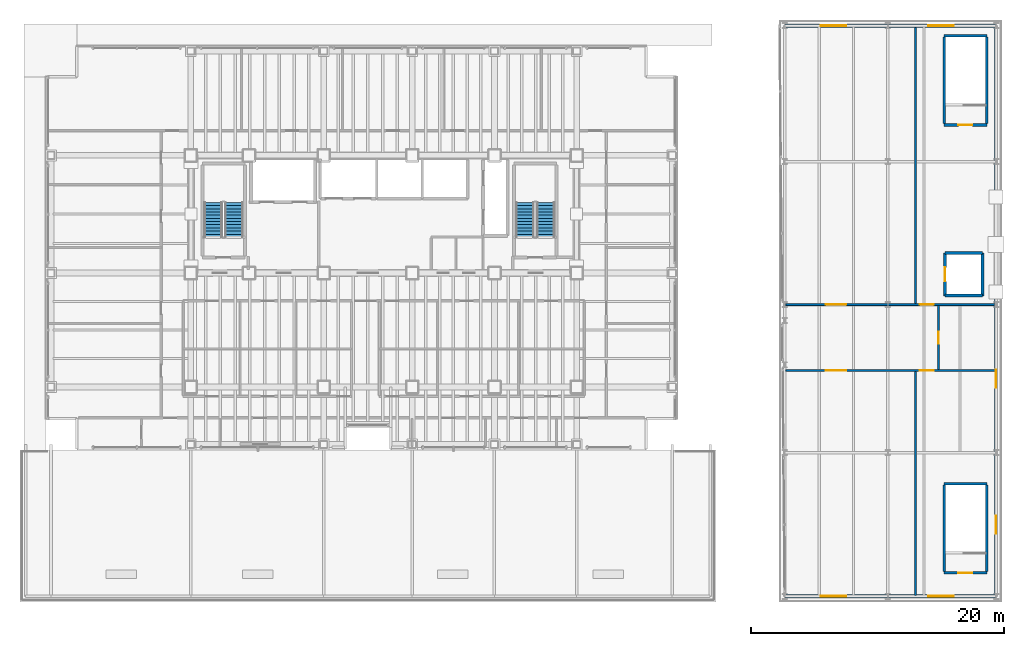
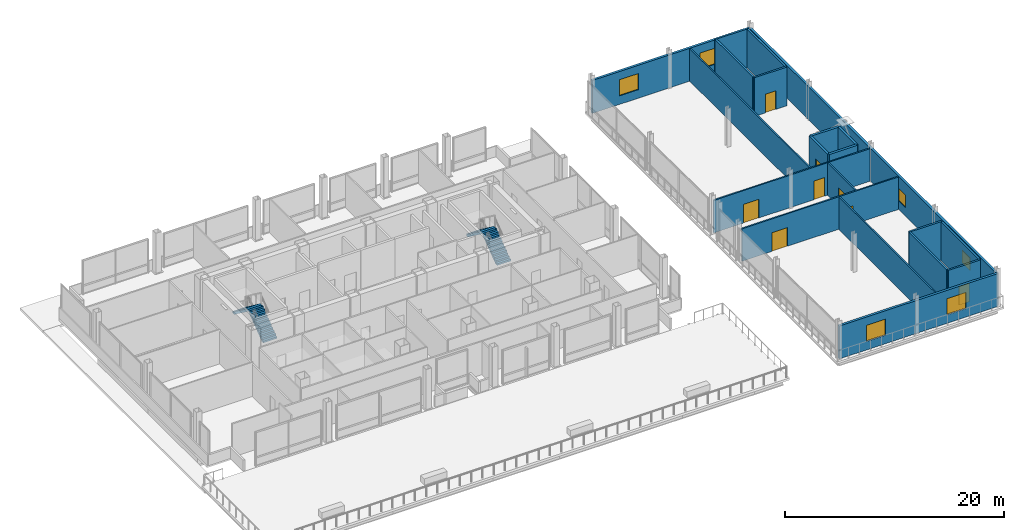
# One storey, part 29 of 34: 20 walls, 8 doors, 6 windows, 4 stair flights, 14 openings, 2 elements without a shape of their own.
"""IFC4 building model written with IfcOpenShell, lengths in metres."""

from ifc_helpers import new_model, si_unit, direction, frame, frame_2d, origin, place, context, subcontext, project, spatial, polyline, rectangle, outline, extrude, material, layer, layer_set, type_object, element, fill, aggregate, save


model = new_model("IFC4")

# Units and contexts
model_context = context("Model", 3, precision=1e-05, world=origin(), true_north=direction((0.0, 1.0)))
body_context = subcontext(model_context, "Body", "Model", "MODEL_VIEW")
ifc_project = project(units=[si_unit("LENGTHUNIT", "METRE"), si_unit("AREAUNIT", "SQUARE_METRE"), si_unit("VOLUMEUNIT", "CUBIC_METRE"), si_unit("PLANEANGLEUNIT", "RADIAN"), si_unit("MASSUNIT", "GRAM", prefix="KILO")], contexts=[model_context])

# Site, building, storey
site_placement = place(None, origin())
site = spatial("IfcSite", under=ifc_project, at=site_placement, CompositionType="ELEMENT")
building_placement = place(site_placement, origin())
building = spatial("IfcBuilding", under=site, at=building_placement, Name="Noeulbin Bourse Tower", CompositionType="ELEMENT")
storey_placement = place(building_placement, frame((0.0, 0.0, 22.0)))
storey = spatial("IfcBuildingStorey", under=building, at=storey_placement, Name="L05", CompositionType="ELEMENT", Elevation=22.0)

# Wall, openings, windows
ifc_material_1 = material(Name="Precast Concrete C40/50", Category="concrete")
ifc_layer_1 = layer(ifc_material_1, 0.25)
ifc_layer_set_1 = layer_set([ifc_layer_1], Name="Precast Concrete C40/50")
wall_type_1 = type_object("IfcWallType", Name="WAL-EXT-250", PredefinedType="STANDARD", material=ifc_layer_set_1)
wall_1_placement = place(storey_placement, frame((60.449951171875, 3.449951171875, 0.0), z_axis=(0.0, 0.0, 1.0), x_axis=(1.0, 0.0, 0.0)))
wall_1 = element("IfcWall", 1, at=wall_1_placement, inside=storey, type_object=wall_type_1, Name="Market Hall South Wall L05", PredefinedType="STANDARD", context=body_context, shape_type="SweptSolid", body=[
    extrude(rectangle(XDim=16.699951171875, YDim=0.25, at=frame_2d((8.35009765625, 0.0))), origin(), (0.0, 0.0, 1.0), 3.669921875),
])
opening_1_placement = place(wall_1_placement, frame((2.85009765625, 0.0, 0.949951171875)))
opening_1 = element("IfcOpeningElement", 2, at=opening_1_placement, cuts=wall_1, Name="Opening W-02", PredefinedType="OPENING", context=body_context, shape_type="SweptSolid", body=[
    extrude(rectangle(XDim=2.0, YDim=1.800048828125, at=frame_2d((1.0, 0.89990234375))), frame((0.0, 0.135009765625, 0.0), z_axis=(0.0, -1.0, 0.0), x_axis=(1.0, 0.0, 0.0)), (0.0, 0.0, 1.0), 0.27001953125),
])
opening_2_placement = place(wall_1_placement, frame((11.35009765625, 0.0, 0.949951171875)))
opening_2 = element("IfcOpeningElement", 3, at=opening_2_placement, cuts=wall_1, Name="Opening W-02", PredefinedType="OPENING", context=body_context, shape_type="SweptSolid", body=[
    extrude(rectangle(XDim=2.0, YDim=1.800048828125, at=frame_2d((1.0, 0.89990234375))), frame((0.0, 0.135009765625, 0.0), z_axis=(0.0, -1.0, 0.0), x_axis=(1.0, 0.0, 0.0)), (0.0, 0.0, 1.0), 0.27001953125),
])
ifc_material_2 = material(Name="Thermally Broken Aluminium Triple Glazing", Category="aluminium")
window_type_1 = type_object("IfcWindowType", Name="WIN-MKT-2000x1800", PartitioningType="DOUBLE_PANEL_VERTICAL", PredefinedType="WINDOW", material=ifc_material_2)
window_1_placement = place(opening_1_placement, origin())
window_1 = element("IfcWindow", 4, at=window_1_placement, inside=storey, type_object=window_type_1, Name="Market South Window L05-1", OverallHeight=1.800048828125, OverallWidth=2.0, PartitioningType="SINGLE_PANEL", PredefinedType="WINDOW", context=body_context, shape_type="SweptSolid", body=[
    extrude(rectangle(XDim=2.0, YDim=1.800048828125, at=frame_2d((1.0, 0.89990234375))), frame((0.0, 0.030029296875, 0.0), z_axis=(0.0, -1.0, 0.0), x_axis=(1.0, 0.0, 0.0)), (0.0, 0.0, 1.0), 0.06005859375),
])
fill(opening_1, window_1)
window_2_placement = place(opening_2_placement, origin())
window_2 = element("IfcWindow", 5, at=window_2_placement, inside=storey, type_object=window_type_1, Name="Market South Window L05-2", OverallHeight=1.800048828125, OverallWidth=2.0, PartitioningType="SINGLE_PANEL", PredefinedType="WINDOW", context=body_context, shape_type="SweptSolid", body=[
    extrude(rectangle(XDim=2.0, YDim=1.800048828125, at=frame_2d((1.0, 0.89990234375))), frame((0.0, 0.030029296875, 0.0), z_axis=(0.0, -1.0, 0.0), x_axis=(1.0, 0.0, 0.0)), (0.0, 0.0, 1.0), 0.06005859375),
])
fill(opening_2, window_2)

wall_2_placement = place(storey_placement, frame((60.449951171875, 48.550048828125, 0.0), z_axis=(0.0, 0.0, 1.0), x_axis=(1.0, 0.0, 0.0)))
wall_2 = element("IfcWall", 6, at=wall_2_placement, inside=storey, type_object=wall_type_1, Name="Market Hall North Wall L05", PredefinedType="STANDARD", context=body_context, shape_type="SweptSolid", body=[
    extrude(rectangle(XDim=16.699951171875, YDim=0.25, at=frame_2d((8.35009765625, 0.0))), origin(), (0.0, 0.0, 1.0), 3.669921875),
])
opening_3_placement = place(wall_2_placement, frame((2.85009765625, 0.0, 0.949951171875)))
opening_3 = element("IfcOpeningElement", 7, at=opening_3_placement, cuts=wall_2, Name="Opening W-02", PredefinedType="OPENING", context=body_context, shape_type="SweptSolid", body=[
    extrude(rectangle(XDim=2.0, YDim=1.800048828125, at=frame_2d((1.0, 0.89990234375))), frame((0.0, 0.135009765625, 0.0), z_axis=(0.0, -1.0, 0.0), x_axis=(1.0, 0.0, 0.0)), (0.0, 0.0, 1.0), 0.27001953125),
])
opening_4_placement = place(wall_2_placement, frame((11.35009765625, 0.0, 0.949951171875)))
opening_4 = element("IfcOpeningElement", 8, at=opening_4_placement, cuts=wall_2, Name="Opening W-02", PredefinedType="OPENING", context=body_context, shape_type="SweptSolid", body=[
    extrude(rectangle(XDim=2.0, YDim=1.800048828125, at=frame_2d((1.0, 0.89990234375))), frame((0.0, 0.135009765625, 0.0), z_axis=(0.0, -1.0, 0.0), x_axis=(1.0, 0.0, 0.0)), (0.0, 0.0, 1.0), 0.27001953125),
])
window_3_placement = place(opening_3_placement, origin())
window_3 = element("IfcWindow", 9, at=window_3_placement, inside=storey, type_object=window_type_1, Name="Market North Window L05-1", OverallHeight=1.800048828125, OverallWidth=2.0, PartitioningType="SINGLE_PANEL", PredefinedType="WINDOW", context=body_context, shape_type="SweptSolid", body=[
    extrude(rectangle(XDim=2.0, YDim=1.800048828125, at=frame_2d((1.0, 0.89990234375))), frame((0.0, 0.030029296875, 0.0), z_axis=(0.0, -1.0, 0.0), x_axis=(1.0, 0.0, 0.0)), (0.0, 0.0, 1.0), 0.06005859375),
])
fill(opening_3, window_3)
window_4_placement = place(opening_4_placement, origin())
window_4 = element("IfcWindow", 10, at=window_4_placement, inside=storey, type_object=window_type_1, Name="Market North Window L05-2", OverallHeight=1.800048828125, OverallWidth=2.0, PartitioningType="SINGLE_PANEL", PredefinedType="WINDOW", context=body_context, shape_type="SweptSolid", body=[
    extrude(rectangle(XDim=2.0, YDim=1.800048828125, at=frame_2d((1.0, 0.89990234375))), frame((0.0, 0.030029296875, 0.0), z_axis=(0.0, -1.0, 0.0), x_axis=(1.0, 0.0, 0.0)), (0.0, 0.0, 1.0), 0.06005859375),
])
fill(opening_4, window_4)

wall_3_placement = place(storey_placement, frame((77.14990234375, 3.449951171875, 0.0), z_axis=(0.0, 0.0, 1.0), x_axis=(0.0, 1.0, 0.0)))
wall_3 = element("IfcWall", 11, at=wall_3_placement, inside=storey, type_object=wall_type_1, Name="Market Hall East Wall L05", PredefinedType="STANDARD", context=body_context, shape_type="SweptSolid", body=[
    extrude(rectangle(XDim=45.10009765625, YDim=0.25, at=frame_2d((22.550048828125, 0.0))), origin(), (0.0, 0.0, 1.0), 3.669921875),
])
opening_5_placement = place(wall_3_placement, frame((4.949951171875, 0.0, 0.949951171875)))
opening_5 = element("IfcOpeningElement", 12, at=opening_5_placement, cuts=wall_3, Name="Opening W-06", PredefinedType="OPENING", context=body_context, shape_type="SweptSolid", body=[
    extrude(rectangle(XDim=1.39990234375, YDim=1.39990234375, at=frame_2d((0.699951171875, 0.699951171875))), frame((0.0, 0.135009765625, 0.0), z_axis=(0.0, -1.0, 0.0), x_axis=(1.0, 0.0, 0.0)), (0.0, 0.0, 1.0), 0.27001953125),
])
opening_6_placement = place(wall_3_placement, frame((16.5, 0.0, 0.949951171875)))
opening_6 = element("IfcOpeningElement", 13, at=opening_6_placement, cuts=wall_3, Name="Opening W-06", PredefinedType="OPENING", context=body_context, shape_type="SweptSolid", body=[
    extrude(rectangle(XDim=1.39990234375, YDim=1.39990234375, at=frame_2d((0.699951171875, 0.699951171875))), frame((0.0, 0.135009765625, 0.0), z_axis=(0.0, -1.0, 0.0), x_axis=(1.0, 0.0, 0.0)), (0.0, 0.0, 1.0), 0.27001953125),
])
window_type_2 = type_object("IfcWindowType", Name="WIN-MKT-1400x1400", PartitioningType="SINGLE_PANEL", PredefinedType="WINDOW", material=ifc_material_2)
window_5_placement = place(opening_5_placement, origin())
window_5 = element("IfcWindow", 14, at=window_5_placement, inside=storey, type_object=window_type_2, Name="Market East Window L05-1", OverallHeight=1.39990234375, OverallWidth=1.39990234375, PartitioningType="SINGLE_PANEL", PredefinedType="WINDOW", context=body_context, shape_type="SweptSolid", body=[
    extrude(rectangle(XDim=1.39990234375, YDim=1.39990234375, at=frame_2d((0.699951171875, 0.699951171875))), frame((0.0, 0.030029296875, 0.0), z_axis=(0.0, -1.0, 0.0), x_axis=(1.0, 0.0, 0.0)), (0.0, 0.0, 1.0), 0.06005859375),
])
fill(opening_5, window_5)
window_6_placement = place(opening_6_placement, origin())
window_6 = element("IfcWindow", 15, at=window_6_placement, inside=storey, type_object=window_type_2, Name="Market East Window L05-2", OverallHeight=1.39990234375, OverallWidth=1.39990234375, PartitioningType="SINGLE_PANEL", PredefinedType="WINDOW", context=body_context, shape_type="SweptSolid", body=[
    extrude(rectangle(XDim=1.39990234375, YDim=1.39990234375, at=frame_2d((0.699951171875, 0.699951171875))), frame((0.0, 0.030029296875, 0.0), z_axis=(0.0, -1.0, 0.0), x_axis=(1.0, 0.0, 0.0)), (0.0, 0.0, 1.0), 0.06005859375),
])
fill(opening_6, window_6)

# Wall, opening, door
ifc_material_3 = material(Name="Concrete C40/50", Category="concrete")
ifc_layer_2 = layer(ifc_material_3, 0.199951171875)
ifc_layer_set_2 = layer_set([ifc_layer_2], Name="Concrete C40/50")
wall_type_2 = type_object("IfcWallType", Name="WAL-FIRE-200", PredefinedType="STANDARD", material=ifc_layer_set_2)
wall_4_placement = place(storey_placement, frame((73.02001953125, 5.300048828125, 0.0), z_axis=(0.0, 0.0, 1.0), x_axis=(1.0, 0.0, 0.0)))
wall_4 = element("IfcWall", 16, at=wall_4_placement, inside=storey, type_object=wall_type_2, Name="Stair MST1 South Wall L05", PredefinedType="STANDARD", context=body_context, shape_type="SweptSolid", body=[
    extrude(rectangle(XDim=3.39990234375, YDim=0.199951171875, at=frame_2d((1.699951171875, 0.0))), origin(), (0.0, 0.0, 1.0), 4.320068359375),
])
opening_7_placement = place(wall_4_placement, frame((1.14990234375, 0.0, 0.0)))
opening_7 = element("IfcOpeningElement", 17, at=opening_7_placement, cuts=wall_4, Name="Opening FD-11", PredefinedType="OPENING", context=body_context, shape_type="SweptSolid", body=[
    extrude(rectangle(XDim=1.10009765625, YDim=2.080078125, at=frame_2d((0.550048828125, 1.0400390625))), frame((0.0, 0.10986328125, 0.0), z_axis=(0.0, -1.0, 0.0), x_axis=(1.0, 0.0, 0.0)), (0.0, 0.0, 1.0), 0.219970703125),
])
ifc_material_4 = material(Name="Fire-Rated Insulated Steel", Category="steel")
door_type_1 = type_object("IfcDoorType", Name="DR-FD60-1100", OperationType="SINGLE_SWING_LEFT", PredefinedType="DOOR", material=ifc_material_4)
door_1_placement = place(opening_7_placement, origin())
door_1 = element("IfcDoor", 18, at=door_1_placement, inside=storey, type_object=door_type_1, Name="Escape Stair Door MST1-L05", OperationType="SINGLE_SWING_RIGHT", OverallHeight=2.080078125, OverallWidth=1.10009765625, PredefinedType="DOOR", context=body_context, shape_type="SweptSolid", body=[
    extrude(rectangle(XDim=1.10009765625, YDim=2.080078125, at=frame_2d((0.550048828125, 1.0400390625))), frame((0.0, 0.02490234375, 0.0), z_axis=(0.0, -1.0, 0.0), x_axis=(1.0, 0.0, 0.0)), (0.0, 0.0, 1.0), 0.050048828125),
])
fill(opening_7, door_1)

# Walls
wall_5_placement = place(storey_placement, frame((73.02001953125, 12.360107421875, 0.0), z_axis=(0.0, 0.0, 1.0), x_axis=(1.0, 0.0, 0.0)))
element("IfcWall", 19, at=wall_5_placement, inside=storey, type_object=wall_type_2, Name="Stair MST1 North Wall L05", PredefinedType="STANDARD", context=body_context, shape_type="SweptSolid", body=[
    extrude(rectangle(XDim=3.39990234375, YDim=0.199951171875, at=frame_2d((1.699951171875, 0.0))), origin(), (0.0, 0.0, 1.0), 4.320068359375),
])
for number, where, z_axis, x_axis, name in (
    (20, (73.0400390625, 5.39990234375, 0.0), (0.0, 0.0, 1.0), (0.0, 1.0, 0.0), "Stair MST1 West Wall L05"),
    (21, (76.39990234375, 5.39990234375, 0.0), (0.0, 0.0, 1.0), (0.0, 1.0, 0.0), "Stair MST1 East Wall L05"),
):
    element("IfcWall", number, at=place(storey_placement, frame(where, z_axis=z_axis, x_axis=x_axis)), inside=storey, type_object=wall_type_2, Name=name, PredefinedType="STANDARD", context=body_context, shape_type="SweptSolid", body=[
        extrude(rectangle(XDim=6.860107421875, YDim=0.199951171875, at=frame_2d((3.43017578125, 0.0))), origin(), (0.0, 0.0, 1.0), 4.320068359375),
    ])

# Wall, opening, door
wall_6_placement = place(storey_placement, frame((73.02001953125, 40.699951171875, 0.0), z_axis=(0.0, 0.0, 1.0), x_axis=(1.0, 0.0, 0.0)))
wall_6 = element("IfcWall", 22, at=wall_6_placement, inside=storey, type_object=wall_type_2, Name="Stair MST2 South Wall L05", PredefinedType="STANDARD", context=body_context, shape_type="SweptSolid", body=[
    extrude(rectangle(XDim=3.39990234375, YDim=0.199951171875, at=frame_2d((1.699951171875, 0.0))), origin(), (0.0, 0.0, 1.0), 4.320068359375),
])
opening_8_placement = place(wall_6_placement, frame((1.14990234375, 0.0, 0.0)))
opening_8 = element("IfcOpeningElement", 23, at=opening_8_placement, cuts=wall_6, Name="Opening FD-11", PredefinedType="OPENING", context=body_context, shape_type="SweptSolid", body=[
    extrude(rectangle(XDim=1.10009765625, YDim=2.080078125, at=frame_2d((0.550048828125, 1.0400390625))), frame((0.0, 0.10986328125, 0.0), z_axis=(0.0, -1.0, 0.0), x_axis=(1.0, 0.0, 0.0)), (0.0, 0.0, 1.0), 0.219970703125),
])
door_2_placement = place(opening_8_placement, origin())
door_2 = element("IfcDoor", 24, at=door_2_placement, inside=storey, type_object=door_type_1, Name="Escape Stair Door MST2-L05", OperationType="SINGLE_SWING_RIGHT", OverallHeight=2.080078125, OverallWidth=1.10009765625, PredefinedType="DOOR", context=body_context, shape_type="SweptSolid", body=[
    extrude(rectangle(XDim=1.10009765625, YDim=2.080078125, at=frame_2d((0.550048828125, 1.0400390625))), frame((0.0, 0.02490234375, 0.0), z_axis=(0.0, -1.0, 0.0), x_axis=(1.0, 0.0, 0.0)), (0.0, 0.0, 1.0), 0.050048828125),
])
fill(opening_8, door_2)

# Walls
wall_7_placement = place(storey_placement, frame((73.02001953125, 47.760009765625, 0.0), z_axis=(0.0, 0.0, 1.0), x_axis=(1.0, 0.0, 0.0)))
element("IfcWall", 25, at=wall_7_placement, inside=storey, type_object=wall_type_2, Name="Stair MST2 North Wall L05", PredefinedType="STANDARD", context=body_context, shape_type="SweptSolid", body=[
    extrude(rectangle(XDim=3.39990234375, YDim=0.199951171875, at=frame_2d((1.699951171875, 0.0))), origin(), (0.0, 0.0, 1.0), 4.320068359375),
])
for number, where, z_axis, x_axis, name in (
    (26, (73.0400390625, 40.800048828125, 0.0), (0.0, 0.0, 1.0), (0.0, 1.0, 0.0), "Stair MST2 West Wall L05"),
    (27, (76.39990234375, 40.800048828125, 0.0), (0.0, 0.0, 1.0), (0.0, 1.0, 0.0), "Stair MST2 East Wall L05"),
):
    element("IfcWall", number, at=place(storey_placement, frame(where, z_axis=z_axis, x_axis=x_axis)), inside=storey, type_object=wall_type_2, Name=name, PredefinedType="STANDARD", context=body_context, shape_type="SweptSolid", body=[
        extrude(rectangle(XDim=6.85986328125, YDim=0.199951171875, at=frame_2d((3.429931640625, 0.0))), origin(), (0.0, 0.0, 1.0), 4.320068359375),
    ])

# Wall, openings, doors
ifc_material_5 = material(Name="Steel Stud Acoustic Gypsum Board", Category="steel")
ifc_layer_3 = layer(ifc_material_5, 0.14990234375)
ifc_layer_set_3 = layer_set([ifc_layer_3], Name="Steel Stud Acoustic Gypsum Board")
wall_type_3 = type_object("IfcWallType", Name="WAL-PRT-150", PredefinedType="PARTITIONING", material=ifc_layer_set_3)
wall_8_placement = place(storey_placement, frame((60.530029296875, 21.300048828125, 0.0), z_axis=(0.0, 0.0, 1.0), x_axis=(1.0, 0.0, 0.0)))
wall_8 = element("IfcWall", 28, at=wall_8_placement, inside=storey, type_object=wall_type_3, Name="Interior Partition Wall L05-20", PredefinedType="PARTITIONING", context=body_context, shape_type="SweptSolid", body=[
    extrude(rectangle(XDim=16.489990234375, YDim=0.14990234375, at=frame_2d((8.2451171875, 0.0))), origin(), (0.0, 0.0, 1.0), 3.6201171875),
])
opening_9_placement = place(wall_8_placement, frame((3.169921875, 0.0, 0.0)))
opening_9 = element("IfcOpeningElement", 29, at=opening_9_placement, cuts=wall_8, Name="Opening ID-16", PredefinedType="OPENING", context=body_context, shape_type="SweptSolid", body=[
    extrude(rectangle(XDim=1.60009765625, YDim=2.080078125, at=frame_2d((0.800048828125, 1.0400390625))), frame((0.0, 0.0849609375, 0.0), z_axis=(0.0, -1.0, 0.0), x_axis=(1.0, 0.0, 0.0)), (0.0, 0.0, 1.0), 0.169921875),
])
opening_10_placement = place(wall_8_placement, frame((10.60009765625, 0.0, 0.0)))
opening_10 = element("IfcOpeningElement", 30, at=opening_10_placement, cuts=wall_8, Name="Opening FD-11", PredefinedType="OPENING", context=body_context, shape_type="SweptSolid", body=[
    extrude(rectangle(XDim=1.10009765625, YDim=2.080078125, at=frame_2d((0.550048828125, 1.0400390625))), frame((0.0, 0.0849609375, 0.0), z_axis=(0.0, -1.0, 0.0), x_axis=(1.0, 0.0, 0.0)), (0.0, 0.0, 1.0), 0.169921875),
])
ifc_material_6 = material(Name="Acoustic Glazed Aluminium", Category="aluminium")
door_type_2 = type_object("IfcDoorType", Name="DR-DBL-1600", OperationType="DOUBLE_DOOR_SINGLE_SWING", PredefinedType="DOOR", material=ifc_material_6)
door_3_placement = place(opening_9_placement, origin())
door_3 = element("IfcDoor", 31, at=door_3_placement, inside=storey, type_object=door_type_2, Name="Interior Door L05-39", OperationType="DOUBLE_DOOR_SINGLE_SWING", OverallHeight=2.080078125, OverallWidth=1.60009765625, PredefinedType="DOOR", context=body_context, shape_type="SweptSolid", body=[
    extrude(rectangle(XDim=1.60009765625, YDim=2.080078125, at=frame_2d((0.800048828125, 1.0400390625))), frame((0.0, 0.02490234375, 0.0), z_axis=(0.0, -1.0, 0.0), x_axis=(1.0, 0.0, 0.0)), (0.0, 0.0, 1.0), 0.050048828125),
])
fill(opening_9, door_3)
door_4_placement = place(opening_10_placement, origin())
door_4 = element("IfcDoor", 32, at=door_4_placement, inside=storey, type_object=door_type_1, Name="Interior Door L05-41", OperationType="SINGLE_SWING_LEFT", OverallHeight=2.080078125, OverallWidth=1.10009765625, PredefinedType="DOOR", context=body_context, shape_type="SweptSolid", body=[
    extrude(rectangle(XDim=1.10009765625, YDim=2.080078125, at=frame_2d((0.550048828125, 1.0400390625))), frame((0.0, 0.02490234375, 0.0), z_axis=(0.0, -1.0, 0.0), x_axis=(1.0, 0.0, 0.0)), (0.0, 0.0, 1.0), 0.050048828125),
])
fill(opening_10, door_4)

wall_9_placement = place(storey_placement, frame((60.530029296875, 26.5, 0.0), z_axis=(0.0, 0.0, 1.0), x_axis=(1.0, 0.0, 0.0)))
wall_9 = element("IfcWall", 33, at=wall_9_placement, inside=storey, type_object=wall_type_3, Name="Interior Partition Wall L05-21", PredefinedType="PARTITIONING", context=body_context, shape_type="SweptSolid", body=[
    extrude(rectangle(XDim=16.489990234375, YDim=0.14990234375, at=frame_2d((8.2451171875, 0.0))), origin(), (0.0, 0.0, 1.0), 3.6201171875),
])
opening_11_placement = place(wall_9_placement, frame((3.169921875, 0.0, 0.0)))
opening_11 = element("IfcOpeningElement", 34, at=opening_11_placement, cuts=wall_9, Name="Opening ID-16", PredefinedType="OPENING", context=body_context, shape_type="SweptSolid", body=[
    extrude(rectangle(XDim=1.60009765625, YDim=2.080078125, at=frame_2d((0.800048828125, 1.0400390625))), frame((0.0, 0.0849609375, 0.0), z_axis=(0.0, -1.0, 0.0), x_axis=(1.0, 0.0, 0.0)), (0.0, 0.0, 1.0), 0.169921875),
])
opening_12_placement = place(wall_9_placement, frame((10.60009765625, 0.0, 0.0)))
opening_12 = element("IfcOpeningElement", 35, at=opening_12_placement, cuts=wall_9, Name="Opening FD-11", PredefinedType="OPENING", context=body_context, shape_type="SweptSolid", body=[
    extrude(rectangle(XDim=1.10009765625, YDim=2.080078125, at=frame_2d((0.550048828125, 1.0400390625))), frame((0.0, 0.0849609375, 0.0), z_axis=(0.0, -1.0, 0.0), x_axis=(1.0, 0.0, 0.0)), (0.0, 0.0, 1.0), 0.169921875),
])
door_5_placement = place(opening_11_placement, origin())
door_5 = element("IfcDoor", 36, at=door_5_placement, inside=storey, type_object=door_type_2, Name="Interior Door L05-40", OperationType="DOUBLE_DOOR_SINGLE_SWING", OverallHeight=2.080078125, OverallWidth=1.60009765625, PredefinedType="DOOR", context=body_context, shape_type="SweptSolid", body=[
    extrude(rectangle(XDim=1.60009765625, YDim=2.080078125, at=frame_2d((0.800048828125, 1.0400390625))), frame((0.0, 0.02490234375, 0.0), z_axis=(0.0, -1.0, 0.0), x_axis=(1.0, 0.0, 0.0)), (0.0, 0.0, 1.0), 0.050048828125),
])
fill(opening_11, door_5)
door_6_placement = place(opening_12_placement, origin())
door_6 = element("IfcDoor", 37, at=door_6_placement, inside=storey, type_object=door_type_1, Name="Interior Door L05-42", OperationType="SINGLE_SWING_RIGHT", OverallHeight=2.080078125, OverallWidth=1.10009765625, PredefinedType="DOOR", context=body_context, shape_type="SweptSolid", body=[
    extrude(rectangle(XDim=1.10009765625, YDim=2.080078125, at=frame_2d((0.550048828125, 1.0400390625))), frame((0.0, 0.02490234375, 0.0), z_axis=(0.0, -1.0, 0.0), x_axis=(1.0, 0.0, 0.0)), (0.0, 0.0, 1.0), 0.050048828125),
])
fill(opening_12, door_6)

# Wall, opening, door
wall_10_placement = place(storey_placement, frame((72.60009765625, 21.385009765625, 0.0), z_axis=(0.0, 0.0, 1.0), x_axis=(0.0, 1.0, 0.0)))
wall_10 = element("IfcWall", 38, at=wall_10_placement, inside=storey, type_object=wall_type_3, Name="Interior Partition Wall L05-47", PredefinedType="PARTITIONING", context=body_context, shape_type="SweptSolid", body=[
    extrude(rectangle(XDim=5.030029296875, YDim=0.14990234375, at=frame_2d((2.51513671875, 0.0))), origin(), (0.0, 0.0, 1.0), 3.6201171875),
])
opening_13_placement = place(wall_10_placement, frame((2.0400390625, 0.0, 0.0)))
opening_13 = element("IfcOpeningElement", 39, at=opening_13_placement, cuts=wall_10, Name="Opening ID-09", PredefinedType="OPENING", context=body_context, shape_type="SweptSolid", body=[
    extrude(rectangle(XDim=0.949951171875, YDim=2.080078125, at=frame_2d((0.47509765625, 1.0400390625))), frame((0.0, 0.0849609375, 0.0), z_axis=(0.0, -1.0, 0.0), x_axis=(1.0, 0.0, 0.0)), (0.0, 0.0, 1.0), 0.169921875),
])
ifc_material_7 = material(Name="Acoustic Solid-Core Timber", Category="wood")
door_type_3 = type_object("IfcDoorType", Name="DR-SINGLE-950", OperationType="SINGLE_SWING_LEFT", PredefinedType="DOOR", material=ifc_material_7)
door_7_placement = place(opening_13_placement, origin())
door_7 = element("IfcDoor", 40, at=door_7_placement, inside=storey, type_object=door_type_3, Name="Market Top Washroom Door L05", OperationType="SINGLE_SWING_LEFT", OverallHeight=2.080078125, OverallWidth=0.949951171875, PredefinedType="DOOR", context=body_context, shape_type="SweptSolid", body=[
    extrude(rectangle(XDim=0.949951171875, YDim=2.080078125, at=frame_2d((0.47509765625, 1.0400390625))), frame((0.0, 0.02490234375, 0.0), z_axis=(0.0, -1.0, 0.0), x_axis=(1.0, 0.0, 0.0)), (0.0, 0.0, 1.0), 0.050048828125),
])
fill(opening_13, door_7)

# Walls
wall_11_placement = place(storey_placement, frame((70.780029296875, 3.530029296875, 0.0), z_axis=(0.0, 0.0, 1.0), x_axis=(0.0, 1.0, 0.0)))
element("IfcWall", 41, at=wall_11_placement, inside=storey, type_object=wall_type_3, Name="Interior Partition Wall L05-48", PredefinedType="PARTITIONING", context=body_context, shape_type="SweptSolid", body=[
    extrude(rectangle(XDim=17.68505859375, YDim=0.14990234375, at=frame_2d((8.842529296875, 0.0))), origin(), (0.0, 0.0, 1.0), 3.6201171875),
])
wall_12_placement = place(storey_placement, frame((70.780029296875, 26.5849609375, 0.0), z_axis=(0.0, 0.0, 1.0), x_axis=(0.0, 1.0, 0.0)))
element("IfcWall", 42, at=wall_12_placement, inside=storey, type_object=wall_type_3, Name="Interior Partition Wall L05-49", PredefinedType="PARTITIONING", context=body_context, shape_type="SweptSolid", body=[
    extrude(rectangle(XDim=21.8349609375, YDim=0.14990234375, at=frame_2d((10.91748046875, 0.0))), origin(), (0.0, 0.0, 1.0), 3.6201171875),
])

# Wall, opening, door
ifc_layer_4 = layer(ifc_material_3, 0.25)
ifc_layer_set_4 = layer_set([ifc_layer_4], Name="Concrete C40/50")
wall_type_4 = type_object("IfcWallType", Name="WAL-SHFT-250", PredefinedType="STANDARD", material=ifc_layer_set_4)
wall_13_placement = place(storey_placement, frame((73.1201171875, 27.199951171875, 0.0), z_axis=(0.0, 0.0, 1.0), x_axis=(0.0, 1.0, 0.0)))
wall_13 = element("IfcWall", 43, at=wall_13_placement, inside=storey, type_object=wall_type_4, Name="Market Lift Shaft Front Wall L05", PredefinedType="STANDARD", context=body_context, shape_type="SweptSolid", body=[
    extrude(rectangle(XDim=3.400146484375, YDim=0.25, at=frame_2d((1.7001953125, 0.0))), origin(), (0.0, 0.0, 1.0), 3.919921875),
])
opening_14_placement = place(wall_13_placement, frame((1.14990234375, 0.0, 0.0)))
opening_14 = element("IfcOpeningElement", 44, at=opening_14_placement, cuts=wall_13, Name="Opening LD-11", PredefinedType="OPENING", context=body_context, shape_type="SweptSolid", body=[
    extrude(rectangle(XDim=1.10009765625, YDim=2.080078125, at=frame_2d((0.550048828125, 1.0400390625))), frame((0.0, 0.135009765625, 0.0), z_axis=(0.0, -1.0, 0.0), x_axis=(1.0, 0.0, 0.0)), (0.0, 0.0, 1.0), 0.27001953125),
])
ifc_material_8 = material(Name="Brushed Stainless Steel 316", Category="steel")
door_type_4 = type_object("IfcDoorType", Name="DR-LIFT-1100", OperationType="SLIDING_TO_LEFT", PredefinedType="DOOR", material=ifc_material_8)
door_8_placement = place(opening_14_placement, origin())
door_8 = element("IfcDoor", 45, at=door_8_placement, inside=storey, type_object=door_type_4, Name="Lift Landing Door LD-ML-1-L05", OperationType="SLIDING_TO_LEFT", OverallHeight=2.080078125, OverallWidth=1.10009765625, PredefinedType="DOOR", context=body_context, shape_type="SweptSolid", body=[
    extrude(rectangle(XDim=1.10009765625, YDim=2.080078125, at=frame_2d((0.550048828125, 1.0400390625))), frame((0.0, 0.02490234375, 0.0), z_axis=(0.0, -1.0, 0.0), x_axis=(1.0, 0.0, 0.0)), (0.0, 0.0, 1.0), 0.050048828125),
])
fill(opening_14, door_8)

# Walls
wall_14_placement = place(storey_placement, frame((76.080078125, 27.199951171875, 0.0), z_axis=(0.0, 0.0, 1.0), x_axis=(0.0, 1.0, 0.0)))
element("IfcWall", 46, at=wall_14_placement, inside=storey, type_object=wall_type_4, Name="Market Lift Shaft Back Wall L05", PredefinedType="STANDARD", context=body_context, shape_type="SweptSolid", body=[
    extrude(rectangle(XDim=3.400146484375, YDim=0.25, at=frame_2d((1.7001953125, 0.0))), origin(), (0.0, 0.0, 1.0), 3.919921875),
])
for number, where, z_axis, x_axis, name in (
    (47, (73.1201171875, 27.219970703125, 0.0), (0.0, 0.0, 1.0), (1.0, 0.0, 0.0), "Market Lift Shaft South Wall L05"),
    (48, (73.1201171875, 30.580078125, 0.0), (0.0, 0.0, 1.0), (1.0, 0.0, 0.0), "Market Lift Shaft North Wall L05"),
):
    element("IfcWall", number, at=place(storey_placement, frame(where, z_axis=z_axis, x_axis=x_axis)), inside=storey, type_object=wall_type_4, Name=name, PredefinedType="STANDARD", context=body_context, shape_type="SweptSolid", body=[
        extrude(rectangle(XDim=2.9599609375, YDim=0.25, at=frame_2d((1.47998046875, 0.0))), origin(), (0.0, 0.0, 1.0), 3.919921875),
    ])

# Stair, stair flights
stair_type = type_object("IfcStairType", Name="STR-CORE-1560", PredefinedType="HALF_TURN_STAIR", material=ifc_material_3)
stair_1_placement = place(storey_placement, origin())
stair_1 = element("IfcStair", 49, at=stair_1_placement, inside=storey, type_object=stair_type, Name="L05 ST-1", PredefinedType="HALF_TURN_STAIR")
stair_flight_type = type_object("IfcStairFlightType", Name="SFL-CORE-1560", PredefinedType="STRAIGHT", material=ifc_material_3)
stair_flight_1_placement = place(storey_placement, frame((16.925048828125, 31.81005859375, 0.0), z_axis=(0.0, 0.0, 1.0), x_axis=(0.0, 1.0, 0.0)))
stair_flight_1 = element("IfcStairFlight", 50, at=stair_flight_1_placement, type_object=stair_flight_type, Name="ST-1 flight 1", NumberOfRisers=12, NumberOfTreads=11, PredefinedType="STRAIGHT", RiserHeight=0.1875, TreadLength=0.252, context=body_context, shape_type="SweptSolid", body=[
    extrude(outline(polyline([(0.0, 0.0), (0.0, 0.1875), (0.251953125, 0.1875), (0.251953125, 0.375), (0.50390625, 0.375), (0.50390625, 0.5625), (0.756103515625, 0.5625), (0.756103515625, 0.75), (1.008056640625, 0.75), (1.008056640625, 0.9375), (1.260009765625, 0.9375), (1.260009765625, 1.125), (1.511962890625, 1.125), (1.511962890625, 1.3125), (1.763916015625, 1.3125), (1.763916015625, 1.5), (2.01611328125, 1.5), (2.01611328125, 1.6875), (2.26806640625, 1.6875), (2.26806640625, 1.875), (2.52001953125, 1.875), (2.52001953125, 2.0625), (2.77197265625, 2.0625), (2.77197265625, 2.25), (2.77197265625, 1.838134765625), (0.301513671875, 0.0), (0.0, 0.0)])), frame((0.0, 0.72509765625, 0.0), z_axis=(0.0, -1.0, 0.0), x_axis=(1.0, 0.0, 0.0)), (0.0, 0.0, 1.0), 1.449951171875),
])
stair_flight_2_placement = place(storey_placement, frame((15.27490234375, 34.58203125, 2.25), z_axis=(0.0, 0.0, 1.0), x_axis=(0.0, -1.0, 0.0)))
stair_flight_2 = element("IfcStairFlight", 51, at=stair_flight_2_placement, type_object=stair_flight_type, Name="ST-1 flight 2", NumberOfRisers=12, NumberOfTreads=11, PredefinedType="STRAIGHT", RiserHeight=0.1875, TreadLength=0.252, context=body_context, shape_type="SweptSolid", body=[
    extrude(outline(polyline([(0.0, 0.0), (0.0, 0.1875), (0.251953125, 0.1875), (0.251953125, 0.375), (0.50390625, 0.375), (0.50390625, 0.5625), (0.756103515625, 0.5625), (0.756103515625, 0.75), (1.008056640625, 0.75), (1.008056640625, 0.9375), (1.260009765625, 0.9375), (1.260009765625, 1.125), (1.511962890625, 1.125), (1.511962890625, 1.3125), (1.763916015625, 1.3125), (1.763916015625, 1.5), (2.01611328125, 1.5), (2.01611328125, 1.6875), (2.26806640625, 1.6875), (2.26806640625, 1.875), (2.52001953125, 1.875), (2.52001953125, 2.0625), (2.77197265625, 2.0625), (2.77197265625, 2.25), (2.77197265625, 1.838134765625), (0.301513671875, 0.0), (0.0, 0.0)])), frame((0.0, 0.72509765625, 0.0), z_axis=(0.0, -1.0, 0.0), x_axis=(1.0, 0.0, 0.0)), (0.0, 0.0, 1.0), 1.449951171875),
])
aggregate(stair_1, [stair_flight_1, stair_flight_2])

stair_2_placement = place(storey_placement, origin())
stair_2 = element("IfcStair", 52, at=stair_2_placement, inside=storey, type_object=stair_type, Name="L05 ST-2", PredefinedType="HALF_TURN_STAIR")
stair_flight_3_placement = place(storey_placement, frame((41.554931640625, 31.81005859375, 0.0), z_axis=(0.0, 0.0, 1.0), x_axis=(0.0, 1.0, 0.0)))
stair_flight_3 = element("IfcStairFlight", 53, at=stair_flight_3_placement, type_object=stair_flight_type, Name="ST-2 flight 1", NumberOfRisers=12, NumberOfTreads=11, PredefinedType="STRAIGHT", RiserHeight=0.1875, TreadLength=0.252, context=body_context, shape_type="SweptSolid", body=[
    extrude(outline(polyline([(0.0, 0.0), (0.0, 0.1875), (0.251953125, 0.1875), (0.251953125, 0.375), (0.50390625, 0.375), (0.50390625, 0.5625), (0.756103515625, 0.5625), (0.756103515625, 0.75), (1.008056640625, 0.75), (1.008056640625, 0.9375), (1.260009765625, 0.9375), (1.260009765625, 1.125), (1.511962890625, 1.125), (1.511962890625, 1.3125), (1.763916015625, 1.3125), (1.763916015625, 1.5), (2.01611328125, 1.5), (2.01611328125, 1.6875), (2.26806640625, 1.6875), (2.26806640625, 1.875), (2.52001953125, 1.875), (2.52001953125, 2.0625), (2.77197265625, 2.0625), (2.77197265625, 2.25), (2.77197265625, 1.838134765625), (0.301513671875, 0.0), (0.0, 0.0)])), frame((0.0, 0.72509765625, 0.0), z_axis=(0.0, -1.0, 0.0), x_axis=(1.0, 0.0, 0.0)), (0.0, 0.0, 1.0), 1.449951171875),
])
stair_flight_4_placement = place(storey_placement, frame((39.905029296875, 34.58203125, 2.25), z_axis=(0.0, 0.0, 1.0), x_axis=(0.0, -1.0, 0.0)))
stair_flight_4 = element("IfcStairFlight", 54, at=stair_flight_4_placement, type_object=stair_flight_type, Name="ST-2 flight 2", NumberOfRisers=12, NumberOfTreads=11, PredefinedType="STRAIGHT", RiserHeight=0.1875, TreadLength=0.252, context=body_context, shape_type="SweptSolid", body=[
    extrude(outline(polyline([(0.0, 0.0), (0.0, 0.1875), (0.251953125, 0.1875), (0.251953125, 0.375), (0.50390625, 0.375), (0.50390625, 0.5625), (0.756103515625, 0.5625), (0.756103515625, 0.75), (1.008056640625, 0.75), (1.008056640625, 0.9375), (1.260009765625, 0.9375), (1.260009765625, 1.125), (1.511962890625, 1.125), (1.511962890625, 1.3125), (1.763916015625, 1.3125), (1.763916015625, 1.5), (2.01611328125, 1.5), (2.01611328125, 1.6875), (2.26806640625, 1.6875), (2.26806640625, 1.875), (2.52001953125, 1.875), (2.52001953125, 2.0625), (2.77197265625, 2.0625), (2.77197265625, 2.25), (2.77197265625, 1.838134765625), (0.301513671875, 0.0), (0.0, 0.0)])), frame((0.0, 0.72509765625, 0.0), z_axis=(0.0, -1.0, 0.0), x_axis=(1.0, 0.0, 0.0)), (0.0, 0.0, 1.0), 1.449951171875),
])
aggregate(stair_2, [stair_flight_3, stair_flight_4])

save(model, "model.ifc")
